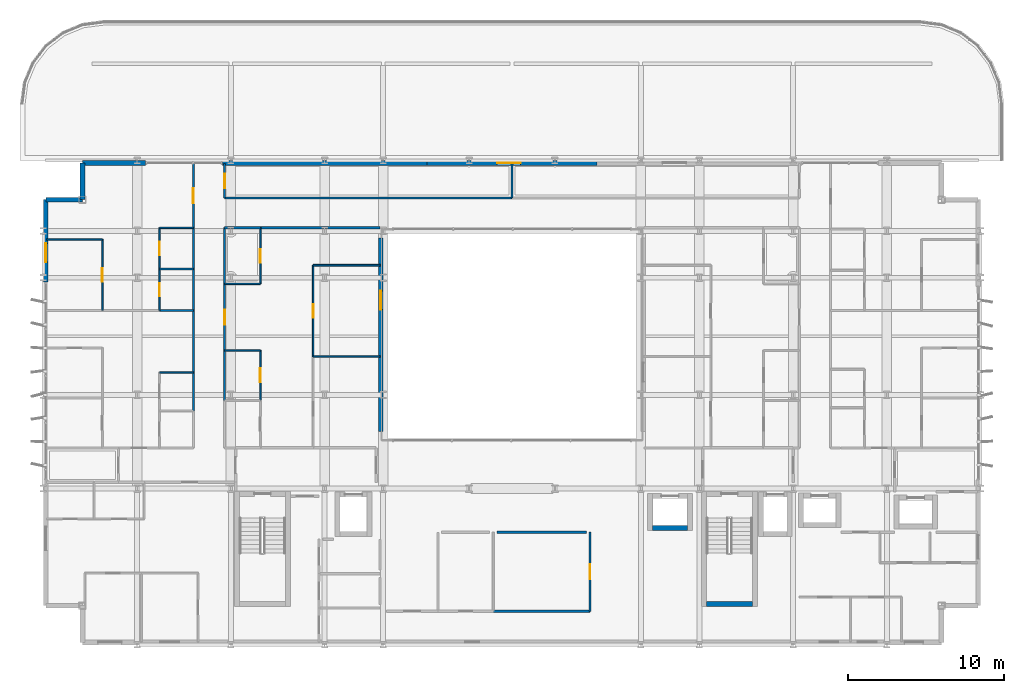
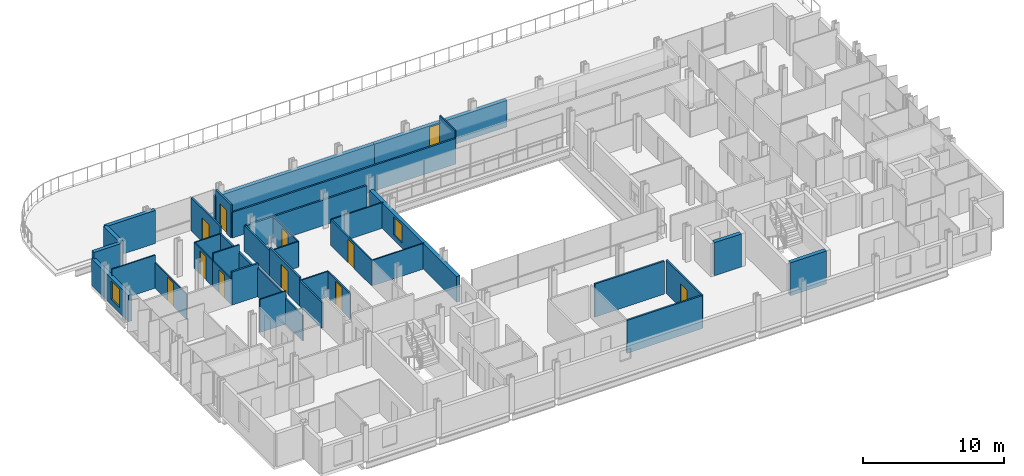
# One storey, part 29 of 38: 40 walls, 11 doors, 2 windows, 13 openings.
"""IFC4 building model written with IfcOpenShell, lengths in metres."""

from ifc_helpers import new_model, si_unit, direction, frame, frame_2d, origin, place, context, subcontext, project, spatial, rectangle, extrude, material, layer, layer_set, type_object, element, fill, save


model = new_model("IFC4")

# Units and contexts
model_context = context("Model", 3, precision=1e-05, world=origin(), true_north=direction((0.0, 1.0)))
body_context = subcontext(model_context, "Body", "Model", "MODEL_VIEW")
ifc_project = project(units=[si_unit("LENGTHUNIT", "METRE"), si_unit("AREAUNIT", "SQUARE_METRE"), si_unit("VOLUMEUNIT", "CUBIC_METRE"), si_unit("PLANEANGLEUNIT", "RADIAN"), si_unit("MASSUNIT", "GRAM", prefix="KILO")], contexts=[model_context])

# Site, building, storey
site_placement = place(None, origin())
site = spatial("IfcSite", under=ifc_project, at=site_placement, CompositionType="ELEMENT")
building_placement = place(site_placement, origin())
building = spatial("IfcBuilding", under=site, at=building_placement, Name="Brevholm Reach", CompositionType="ELEMENT")
storey_placement = place(building_placement, frame((0.0, 0.0, 28.0)))
storey = spatial("IfcBuildingStorey", under=building, at=storey_placement, Name="L06", CompositionType="ELEMENT", Elevation=28.0)

# Walls
ifc_material_1 = material(Name="Concrete C60/75", Category="concrete")
ifc_layer_1 = layer(ifc_material_1, 0.320068359375)
ifc_layer_set_1 = layer_set([ifc_layer_1], Name="Concrete C60/75")
wall_type_1 = type_object("IfcWallType", Name="WAL-COR-320", PredefinedType="SHEAR", material=ifc_layer_set_1)
wall_1_placement = place(storey_placement, frame((42.449951171875, 2.6201171875, 0.0), z_axis=(0.0, 0.0, 1.0), x_axis=(1.0, 0.0, 0.0)))
element("IfcWall", 1, at=wall_1_placement, inside=storey, type_object=wall_type_1, Name="L06 Escape Stair ST-2 Core Wall S", PredefinedType="SHEAR", context=body_context, shape_type="SweptSolid", body=[
    extrude(rectangle(XDim=2.949951171875, YDim=0.320068359375, at=frame_2d((1.47509765625, 0.0))), origin(), (0.0, 0.0, 1.0), 2.8701171875),
])
wall_2_placement = place(storey_placement, frame((39.010009765625, 7.47998046875, 0.0), z_axis=(0.0, 0.0, 1.0), x_axis=(1.0, 0.0, 0.0)))
element("IfcWall", 2, at=wall_2_placement, inside=storey, type_object=wall_type_1, Name="L06 Lift PL-S1 Shaft Wall S", PredefinedType="SHEAR", context=body_context, shape_type="SweptSolid", body=[
    extrude(rectangle(XDim=2.219970703125, YDim=0.320068359375, at=frame_2d((1.10986328125, 0.0))), origin(), (0.0, 0.0, 1.0), 2.8701171875),
])

# Wall, opening, door
ifc_material_2 = material(Name="Concrete C40/50", Category="concrete")
ifc_layer_2 = layer(ifc_material_2, 0.300048828125)
ifc_layer_set_2 = layer_set([ifc_layer_2], Name="Concrete C40/50")
wall_type_2 = type_object("IfcWallType", Name="WAL-EXT-300", PredefinedType="STANDARD", material=ifc_layer_set_2)
wall_3_placement = place(storey_placement, frame((24.550048828125, 30.85009765625, 0.0), z_axis=(0.0, 0.0, 1.0), x_axis=(1.0, 0.0, 0.0)))
wall_3 = element("IfcWall", 3, at=wall_3_placement, inside=storey, type_object=wall_type_2, Name="L06 Facade Wall WAL-L06-TERR-N", PredefinedType="STANDARD", context=body_context, shape_type="SweptSolid", body=[
    extrude(rectangle(XDim=10.89990234375, YDim=0.300048828125, at=frame_2d((5.449951171875, 0.0))), origin(), (0.0, 0.0, 1.0), 2.305419921875),
])
opening_1_placement = place(wall_3_placement, frame((4.5, 0.0, 0.0)))
opening_1 = element("IfcOpeningElement", 4, at=opening_1_placement, cuts=wall_3, Name="Opening ED-04", PredefinedType="OPENING", context=body_context, shape_type="SweptSolid", body=[
    extrude(rectangle(XDim=1.5, YDim=2.199951171875, at=frame_2d((0.75, 1.10009765625))), frame((0.0, 0.159912109375, 0.0), z_axis=(0.0, -1.0, 0.0), x_axis=(1.0, 0.0, 0.0)), (0.0, 0.0, 1.0), 0.320068359375),
])
ifc_material_3 = material(Name="Dark Anodised Aluminium and Laminated Glass", Category="aluminium")
door_type_1 = type_object("IfcDoorType", Name="DOR-EXT-TER", OperationType="NOTDEFINED", PredefinedType="DOOR", material=ifc_material_3)
door_1_placement = place(opening_1_placement, origin())
door_1 = element("IfcDoor", 5, at=door_1_placement, inside=storey, type_object=door_type_1, Name="L06 Exterior Door DOR-L06-TERR-N", OperationType="SINGLE_SWING_LEFT", OverallHeight=2.199951171875, OverallWidth=1.5, PredefinedType="DOOR", context=body_context, shape_type="SweptSolid", body=[
    extrude(rectangle(XDim=1.5, YDim=2.199951171875, at=frame_2d((0.75, 1.10009765625))), frame((0.0, 0.02490234375, 0.0), z_axis=(0.0, -1.0, 0.0), x_axis=(1.0, 0.0, 0.0)), (0.0, 0.0, 1.0), 0.050048828125),
])
fill(opening_1, door_1)

# Walls
for number, where, z_axis, x_axis, name in (
    (6, (2.5, 30.85009765625, 0.0), (0.0, 0.0, 1.0), (0.0, -1.0, 0.0), "L06 Facade Wall WAL-L06-CNW1"),
    (7, (2.5, 28.5, 0.0), (0.0, 0.0, 1.0), (-1.0, 0.0, 0.0), "L06 Facade Wall WAL-L06-CNW2"),
):
    element("IfcWall", number, at=place(storey_placement, frame(where, z_axis=z_axis, x_axis=x_axis)), inside=storey, type_object=wall_type_2, Name=name, PredefinedType="STANDARD", context=body_context, shape_type="SweptSolid", body=[
        extrude(rectangle(XDim=2.35009765625, YDim=0.300048828125, at=frame_2d((1.175048828125, 0.0))), origin(), (0.0, 0.0, 1.0), 2.8701171875),
    ])

# Wall, opening, window
wall_4_placement = place(storey_placement, frame((0.14990234375, 28.5, 0.0), z_axis=(0.0, 0.0, 1.0), x_axis=(0.0, -1.0, 0.0)))
wall_4 = element("IfcWall", 8, at=wall_4_placement, inside=storey, type_object=wall_type_2, Name="L06 Facade Wall WAL-L06-W-N", PredefinedType="STANDARD", context=body_context, shape_type="SweptSolid", body=[
    extrude(rectangle(XDim=5.280029296875, YDim=0.300048828125, at=frame_2d((2.64013671875, 0.0))), origin(), (0.0, 0.0, 1.0), 2.305419921875),
])
opening_2_placement = place(wall_4_placement, frame((2.800048828125, 0.0, 0.485107421875)))
opening_2 = element("IfcOpeningElement", 9, at=opening_2_placement, cuts=wall_4, Name="Opening WN-08", PredefinedType="OPENING", context=body_context, shape_type="SweptSolid", body=[
    extrude(rectangle(XDim=1.199951171875, YDim=1.60009765625, at=frame_2d((0.60009765625, 0.800048828125))), frame((0.0, 0.159912109375, 0.0), z_axis=(0.0, -1.0, 0.0), x_axis=(1.0, 0.0, 0.0)), (0.0, 0.0, 1.0), 0.320068359375),
])
ifc_material_4 = material(Name="Dark Anodised Aluminium and Solar-Control IGU Glass", Category="aluminium")
window_type = type_object("IfcWindowType", Name="WIN-RES-1200", PartitioningType="SINGLE_PANEL", PredefinedType="WINDOW", material=ifc_material_4)
window_1_placement = place(opening_2_placement, origin())
window_1 = element("IfcWindow", 10, at=window_1_placement, inside=storey, type_object=window_type, Name="L06 Window WIN-L06-WN-1", OverallHeight=1.60009765625, OverallWidth=1.199951171875, PartitioningType="SINGLE_PANEL", PredefinedType="WINDOW", context=body_context, shape_type="SweptSolid", body=[
    extrude(rectangle(XDim=1.199951171875, YDim=1.60009765625, at=frame_2d((0.60009765625, 0.800048828125))), frame((0.0, 0.030029296875, 0.0), z_axis=(0.0, -1.0, 0.0), x_axis=(1.0, 0.0, 0.0)), (0.0, 0.0, 1.0), 0.06005859375),
])
fill(opening_2, window_1)

# Walls
wall_5_placement = place(storey_placement, frame((2.5, 30.85009765625, 0.0), z_axis=(0.0, 0.0, 1.0), x_axis=(1.0, 0.0, 0.0)))
element("IfcWall", 11, at=wall_5_placement, inside=storey, type_object=wall_type_2, Name="L06 Facade Wall WAL-L06-NP-W0", PredefinedType="STANDARD", context=body_context, shape_type="SweptSolid", body=[
    extrude(rectangle(XDim=4.050048828125, YDim=0.300048828125, at=frame_2d((2.02490234375, 0.0))), origin(), (0.0, 0.0, 1.0), 2.8701171875),
])
wall_6_placement = place(storey_placement, frame((11.449951171875, 30.85009765625, 0.0), z_axis=(0.0, 0.0, 1.0), x_axis=(1.0, 0.0, 0.0)))
element("IfcWall", 12, at=wall_6_placement, inside=storey, type_object=wall_type_2, Name="L06 Facade Wall WAL-L06-NP-L", PredefinedType="STANDARD", context=body_context, shape_type="SweptSolid", body=[
    extrude(rectangle(XDim=13.10009765625, YDim=0.300048828125, at=frame_2d((6.550048828125, 0.0))), origin(), (0.0, 0.0, 1.0), 2.305419921875),
])

# Wall, opening, window
wall_7_placement = place(storey_placement, frame((21.60009765625, 26.050048828125, 0.0), z_axis=(0.0, 0.0, 1.0), x_axis=(0.0, -1.0, 0.0)))
wall_7 = element("IfcWall", 13, at=wall_7_placement, inside=storey, type_object=wall_type_2, Name="L06 Facade Wall WAL-L06-AT-W", PredefinedType="STANDARD", context=body_context, shape_type="SweptSolid", body=[
    extrude(rectangle(XDim=12.400146484375, YDim=0.300048828125, at=frame_2d((6.2001953125, 0.0))), origin(), (0.0, 0.0, 1.0), 2.224853515625),
])
opening_3_placement = place(wall_7_placement, frame((3.39990234375, 0.0, 0.405029296875)))
opening_3 = element("IfcOpeningElement", 14, at=opening_3_placement, cuts=wall_7, Name="Opening WN-08", PredefinedType="OPENING", context=body_context, shape_type="SweptSolid", body=[
    extrude(rectangle(XDim=1.199951171875, YDim=1.60009765625, at=frame_2d((0.60009765625, 0.800048828125))), frame((0.0, 0.159912109375, 0.0), z_axis=(0.0, -1.0, 0.0), x_axis=(1.0, 0.0, 0.0)), (0.0, 0.0, 1.0), 0.320068359375),
])
window_2_placement = place(opening_3_placement, origin())
window_2 = element("IfcWindow", 15, at=window_2_placement, inside=storey, type_object=window_type, Name="L06 Window WIN-L06-AT-W1", OverallHeight=1.60009765625, OverallWidth=1.199951171875, PartitioningType="SINGLE_PANEL", PredefinedType="WINDOW", context=body_context, shape_type="SweptSolid", body=[
    extrude(rectangle(XDim=1.199951171875, YDim=1.60009765625, at=frame_2d((0.60009765625, 0.800048828125))), frame((0.0, 0.030029296875, 0.0), z_axis=(0.0, -1.0, 0.0), x_axis=(1.0, 0.0, 0.0)), (0.0, 0.0, 1.0), 0.06005859375),
])
fill(opening_3, window_2)

# Walls
ifc_material_5 = material(Name="Moisture-Resistant Acoustic Gypsum Stud Partition 100 mm", Category="gypsum")
ifc_layer_3 = layer(ifc_material_5, 0.10009765625)
ifc_layer_set_3 = layer_set([ifc_layer_3], Name="Moisture-Resistant Acoustic Gypsum Stud Partition 100 mm")
wall_type_3 = type_object("IfcWallType", Name="WAL-PRT-100", PredefinedType="PARTITIONING", material=ifc_layer_set_3)
for number, where, z_axis, x_axis, name in (
    (16, (7.43798828125, 17.43994140625, 0.0), (0.0, 0.0, 1.0), (1.0, 0.0, 0.0), "L06 Internal Partition 093"),
    (17, (7.43798828125, 24.05810546875, 0.0), (0.0, 0.0, 1.0), (1.0, 0.0, 0.0), "L06 Internal Partition 102"),
):
    element("IfcWall", number, at=place(storey_placement, frame(where, z_axis=z_axis, x_axis=x_axis)), inside=storey, type_object=wall_type_3, Name=name, PredefinedType="PARTITIONING", context=body_context, shape_type="SweptSolid", body=[
        extrude(rectangle(XDim=2.157958984375, YDim=0.10009765625, at=frame_2d((1.0791015625, 0.0))), origin(), (0.0, 0.0, 1.0), 2.8701171875),
    ])

# Wall, opening, door
wall_8_placement = place(storey_placement, frame((7.43798828125, 21.404052734375, 0.0), z_axis=(0.0, 0.0, 1.0), x_axis=(0.0, 1.0, 0.0)))
wall_8 = element("IfcWall", 18, at=wall_8_placement, inside=storey, type_object=wall_type_3, Name="L06 Internal Partition 103", PredefinedType="PARTITIONING", context=body_context, shape_type="SweptSolid", body=[
    extrude(rectangle(XDim=2.654052734375, YDim=0.10009765625, at=frame_2d((1.3271484375, 0.0))), origin(), (0.0, 0.0, 1.0), 2.224853515625),
])
opening_4_placement = place(wall_8_placement, frame((0.9169921875, 0.0, 0.0)))
opening_4 = element("IfcOpeningElement", 19, at=opening_4_placement, cuts=wall_8, Name="Opening ID-03", PredefinedType="OPENING", context=body_context, shape_type="SweptSolid", body=[
    extrude(rectangle(XDim=0.820068359375, YDim=2.02001953125, at=frame_2d((0.41015625, 1.010009765625))), frame((0.0, 0.06005859375, 0.0), z_axis=(0.0, -1.0, 0.0), x_axis=(1.0, 0.0, 0.0)), (0.0, 0.0, 1.0), 0.1201171875),
])
ifc_material_6 = material(Name="Moisture-Resistant Painted Timber Internal Bathroom Door", Category="wood")
door_type_2 = type_object("IfcDoorType", Name="DOR-BATH-820", OperationType="NOTDEFINED", PredefinedType="DOOR", material=ifc_material_6)
door_2_placement = place(opening_4_placement, origin())
door_2 = element("IfcDoor", 20, at=door_2_placement, inside=storey, type_object=door_type_2, Name="L06 Internal Door 036", OperationType="SINGLE_SWING_LEFT", OverallHeight=2.02001953125, OverallWidth=0.820068359375, PredefinedType="DOOR", context=body_context, shape_type="SweptSolid", body=[
    extrude(rectangle(XDim=0.820068359375, YDim=2.02001953125, at=frame_2d((0.41015625, 1.010009765625))), frame((0.0, 0.02490234375, 0.0), z_axis=(0.0, -1.0, 0.0), x_axis=(1.0, 0.0, 0.0)), (0.0, 0.0, 1.0), 0.050048828125),
])
fill(opening_4, door_2)

# Wall
wall_9_placement = place(storey_placement, frame((7.43798828125, 26.68994140625, 0.0), z_axis=(0.0, 0.0, 1.0), x_axis=(1.0, 0.0, 0.0)))
element("IfcWall", 21, at=wall_9_placement, inside=storey, type_object=wall_type_3, Name="L06 Internal Partition 104", PredefinedType="PARTITIONING", context=body_context, shape_type="SweptSolid", body=[
    extrude(rectangle(XDim=2.157958984375, YDim=0.10009765625, at=frame_2d((1.0791015625, 0.0))), origin(), (0.0, 0.0, 1.0), 2.224853515625),
])

# Wall, opening, door
wall_10_placement = place(storey_placement, frame((7.43798828125, 24.06201171875, 0.0), z_axis=(0.0, 0.0, 1.0), x_axis=(0.0, 1.0, 0.0)))
wall_10 = element("IfcWall", 22, at=wall_10_placement, inside=storey, type_object=wall_type_3, Name="L06 Internal Partition 105", PredefinedType="PARTITIONING", context=body_context, shape_type="SweptSolid", body=[
    extrude(rectangle(XDim=2.6279296875, YDim=0.10009765625, at=frame_2d((1.31396484375, 0.0))), origin(), (0.0, 0.0, 1.0), 2.224853515625),
])
opening_5_placement = place(wall_10_placement, frame((0.8740234375, 0.0, 0.0)))
opening_5 = element("IfcOpeningElement", 23, at=opening_5_placement, cuts=wall_10, Name="Opening ID-01", PredefinedType="OPENING", context=body_context, shape_type="SweptSolid", body=[
    extrude(rectangle(XDim=0.8798828125, YDim=2.0400390625, at=frame_2d((0.43994140625, 1.02001953125))), frame((0.0, 0.06005859375, 0.0), z_axis=(0.0, -1.0, 0.0), x_axis=(1.0, 0.0, 0.0)), (0.0, 0.0, 1.0), 0.1201171875),
])
ifc_material_7 = material(Name="Lacquered Ash Solid-Core Acoustic Internal Door", Category="timber")
door_type_3 = type_object("IfcDoorType", Name="DOR-INT-880", OperationType="NOTDEFINED", PredefinedType="DOOR", material=ifc_material_7)
door_3_placement = place(opening_5_placement, origin())
door_3 = element("IfcDoor", 24, at=door_3_placement, inside=storey, type_object=door_type_3, Name="L06 Internal Door 037", OperationType="SINGLE_SWING_RIGHT", OverallHeight=2.0400390625, OverallWidth=0.8798828125, PredefinedType="DOOR", context=body_context, shape_type="SweptSolid", body=[
    extrude(rectangle(XDim=0.8798828125, YDim=2.0400390625, at=frame_2d((0.43994140625, 1.02001953125))), frame((0.0, 0.02490234375, 0.0), z_axis=(0.0, -1.0, 0.0), x_axis=(1.0, 0.0, 0.0)), (0.0, 0.0, 1.0), 0.050048828125),
])
fill(opening_5, door_3)

wall_11_placement = place(storey_placement, frame((3.77197265625, 21.404052734375, 0.0), z_axis=(0.0, 0.0, 1.0), x_axis=(0.0, 1.0, 0.0)))
wall_11 = element("IfcWall", 25, at=wall_11_placement, inside=storey, type_object=wall_type_3, Name="L06 Internal Partition 106", PredefinedType="PARTITIONING", context=body_context, shape_type="SweptSolid", body=[
    extrude(rectangle(XDim=4.5458984375, YDim=0.10009765625, at=frame_2d((2.27294921875, 0.0))), origin(), (0.0, 0.0, 1.0), 2.224853515625),
])
opening_6_placement = place(wall_11_placement, frame((1.8330078125, 0.0, 0.0)))
opening_6 = element("IfcOpeningElement", 26, at=opening_6_placement, cuts=wall_11, Name="Opening ID-01", PredefinedType="OPENING", context=body_context, shape_type="SweptSolid", body=[
    extrude(rectangle(XDim=0.8798828125, YDim=2.0400390625, at=frame_2d((0.43994140625, 1.02001953125))), frame((0.0, 0.06005859375, 0.0), z_axis=(0.0, -1.0, 0.0), x_axis=(1.0, 0.0, 0.0)), (0.0, 0.0, 1.0), 0.1201171875),
])
door_4_placement = place(opening_6_placement, origin())
door_4 = element("IfcDoor", 27, at=door_4_placement, inside=storey, type_object=door_type_3, Name="L06 Internal Door 038", OperationType="SINGLE_SWING_LEFT", OverallHeight=2.0400390625, OverallWidth=0.8798828125, PredefinedType="DOOR", context=body_context, shape_type="SweptSolid", body=[
    extrude(rectangle(XDim=0.8798828125, YDim=2.0400390625, at=frame_2d((0.43994140625, 1.02001953125))), frame((0.0, 0.02490234375, 0.0), z_axis=(0.0, -1.0, 0.0), x_axis=(1.0, 0.0, 0.0)), (0.0, 0.0, 1.0), 0.050048828125),
])
fill(opening_6, door_4)

# Wall
wall_12_placement = place(storey_placement, frame((0.199951171875, 25.949951171875, 0.0), z_axis=(0.0, 0.0, 1.0), x_axis=(1.0, 0.0, 0.0)))
element("IfcWall", 28, at=wall_12_placement, inside=storey, type_object=wall_type_3, Name="L06 Internal Partition 107", PredefinedType="PARTITIONING", context=body_context, shape_type="SweptSolid", body=[
    extrude(rectangle(XDim=3.572021484375, YDim=0.10009765625, at=frame_2d((1.7861328125, 0.0))), origin(), (0.0, 0.0, 1.0), 2.8701171875),
])

# Wall, opening, door
wall_13_placement = place(storey_placement, frame((13.888916015625, 15.654052734375, 0.0), z_axis=(0.0, 0.0, 1.0), x_axis=(0.0, 1.0, 0.0)))
wall_13 = element("IfcWall", 29, at=wall_13_placement, inside=storey, type_object=wall_type_3, Name="L06 Internal Partition 110", PredefinedType="PARTITIONING", context=body_context, shape_type="SweptSolid", body=[
    extrude(rectangle(XDim=3.196044921875, YDim=0.10009765625, at=frame_2d((1.59814453125, 0.0))), origin(), (0.0, 0.0, 1.0), 2.224853515625),
])
opening_7_placement = place(wall_13_placement, frame((1.157958984375, 0.0, 0.0)))
opening_7 = element("IfcOpeningElement", 30, at=opening_7_placement, cuts=wall_13, Name="Opening ID-01", PredefinedType="OPENING", context=body_context, shape_type="SweptSolid", body=[
    extrude(rectangle(XDim=0.8798828125, YDim=2.0400390625, at=frame_2d((0.43994140625, 1.02001953125))), frame((0.0, 0.06005859375, 0.0), z_axis=(0.0, -1.0, 0.0), x_axis=(1.0, 0.0, 0.0)), (0.0, 0.0, 1.0), 0.1201171875),
])
door_5_placement = place(opening_7_placement, origin())
door_5 = element("IfcDoor", 31, at=door_5_placement, inside=storey, type_object=door_type_3, Name="L06 Internal Door 040", OperationType="SINGLE_SWING_LEFT", OverallHeight=2.0400390625, OverallWidth=0.8798828125, PredefinedType="DOOR", context=body_context, shape_type="SweptSolid", body=[
    extrude(rectangle(XDim=0.8798828125, YDim=2.0400390625, at=frame_2d((0.43994140625, 1.02001953125))), frame((0.0, 0.02490234375, 0.0), z_axis=(0.0, -1.0, 0.0), x_axis=(1.0, 0.0, 0.0)), (0.0, 0.0, 1.0), 0.050048828125),
])
fill(opening_7, door_5)

# Walls
for number, where, z_axis, x_axis, name in (
    (32, (11.60400390625, 18.85009765625, 0.0), (0.0, 0.0, 1.0), (1.0, 0.0, 0.0), "L06 Internal Partition 111"),
    (33, (11.60400390625, 23.10009765625, 0.0), (0.0, 0.0, 1.0), (1.0, 0.0, 0.0), "L06 Internal Partition 112"),
):
    element("IfcWall", number, at=place(storey_placement, frame(where, z_axis=z_axis, x_axis=x_axis)), inside=storey, type_object=wall_type_3, Name=name, PredefinedType="PARTITIONING", context=body_context, shape_type="SweptSolid", body=[
        extrude(rectangle(XDim=2.284912109375, YDim=0.10009765625, at=frame_2d((1.142578125, 0.0))), origin(), (0.0, 0.0, 1.0), 2.224853515625),
    ])

# Wall, opening, door
wall_14_placement = place(storey_placement, frame((13.888916015625, 23.10009765625, 0.0), z_axis=(0.0, 0.0, 1.0), x_axis=(0.0, 1.0, 0.0)))
wall_14 = element("IfcWall", 34, at=wall_14_placement, inside=storey, type_object=wall_type_3, Name="L06 Internal Partition 113", PredefinedType="PARTITIONING", context=body_context, shape_type="SweptSolid", body=[
    extrude(rectangle(XDim=3.595947265625, YDim=0.10009765625, at=frame_2d((1.7978515625, 0.0))), origin(), (0.0, 0.0, 1.0), 2.224853515625),
])
opening_8_placement = place(wall_14_placement, frame((1.35791015625, 0.0, 0.0)))
opening_8 = element("IfcOpeningElement", 35, at=opening_8_placement, cuts=wall_14, Name="Opening ID-01", PredefinedType="OPENING", context=body_context, shape_type="SweptSolid", body=[
    extrude(rectangle(XDim=0.8798828125, YDim=2.0400390625, at=frame_2d((0.43994140625, 1.02001953125))), frame((0.0, 0.06005859375, 0.0), z_axis=(0.0, -1.0, 0.0), x_axis=(1.0, 0.0, 0.0)), (0.0, 0.0, 1.0), 0.1201171875),
])
door_6_placement = place(opening_8_placement, origin())
door_6 = element("IfcDoor", 36, at=door_6_placement, inside=storey, type_object=door_type_3, Name="L06 Internal Door 041", OperationType="SINGLE_SWING_RIGHT", OverallHeight=2.0400390625, OverallWidth=0.8798828125, PredefinedType="DOOR", context=body_context, shape_type="SweptSolid", body=[
    extrude(rectangle(XDim=0.8798828125, YDim=2.0400390625, at=frame_2d((0.43994140625, 1.02001953125))), frame((0.0, 0.02490234375, 0.0), z_axis=(0.0, -1.0, 0.0), x_axis=(1.0, 0.0, 0.0)), (0.0, 0.0, 1.0), 0.050048828125),
])
fill(opening_8, door_6)

# Walls
for number, where, z_axis, x_axis, name in (
    (37, (17.27099609375, 18.449951171875, 0.0), (0.0, 0.0, 1.0), (1.0, 0.0, 0.0), "L06 Internal Partition 114"),
    (38, (17.27099609375, 24.300048828125, 0.0), (0.0, 0.0, 1.0), (1.0, 0.0, 0.0), "L06 Internal Partition 116"),
):
    element("IfcWall", number, at=place(storey_placement, frame(where, z_axis=z_axis, x_axis=x_axis)), inside=storey, type_object=wall_type_3, Name=name, PredefinedType="PARTITIONING", context=body_context, shape_type="SweptSolid", body=[
        extrude(rectangle(XDim=4.279052734375, YDim=0.10009765625, at=frame_2d((2.1396484375, 0.0))), origin(), (0.0, 0.0, 1.0), 2.224853515625),
    ])

# Wall, opening, door
wall_15_placement = place(storey_placement, frame((17.27099609375, 18.4541015625, 0.0), z_axis=(0.0, 0.0, 1.0), x_axis=(0.0, 1.0, 0.0)))
wall_15 = element("IfcWall", 39, at=wall_15_placement, inside=storey, type_object=wall_type_3, Name="L06 Internal Partition 117", PredefinedType="PARTITIONING", context=body_context, shape_type="SweptSolid", body=[
    extrude(rectangle(XDim=5.845947265625, YDim=0.10009765625, at=frame_2d((2.9228515625, 0.0))), origin(), (0.0, 0.0, 1.0), 2.224853515625),
])
opening_9_placement = place(wall_15_placement, frame((2.48291015625, 0.0, 0.0)))
opening_9 = element("IfcOpeningElement", 40, at=opening_9_placement, cuts=wall_15, Name="Opening ID-01", PredefinedType="OPENING", context=body_context, shape_type="SweptSolid", body=[
    extrude(rectangle(XDim=0.8798828125, YDim=2.0400390625, at=frame_2d((0.43994140625, 1.02001953125))), frame((0.0, 0.06005859375, 0.0), z_axis=(0.0, -1.0, 0.0), x_axis=(1.0, 0.0, 0.0)), (0.0, 0.0, 1.0), 0.1201171875),
])
door_7_placement = place(opening_9_placement, origin())
door_7 = element("IfcDoor", 41, at=door_7_placement, inside=storey, type_object=door_type_3, Name="L06 Internal Door 043", OperationType="SINGLE_SWING_RIGHT", OverallHeight=2.0400390625, OverallWidth=0.8798828125, PredefinedType="DOOR", context=body_context, shape_type="SweptSolid", body=[
    extrude(rectangle(XDim=0.8798828125, YDim=2.0400390625, at=frame_2d((0.43994140625, 1.02001953125))), frame((0.0, 0.02490234375, 0.0), z_axis=(0.0, -1.0, 0.0), x_axis=(1.0, 0.0, 0.0)), (0.0, 0.0, 1.0), 0.050048828125),
])
fill(opening_9, door_7)

# Wall
wall_16_placement = place(storey_placement, frame((30.0, 28.60400390625, 0.0), z_axis=(0.0, 0.0, 1.0), x_axis=(0.0, 1.0, 0.0)))
element("IfcWall", 42, at=wall_16_placement, inside=storey, type_object=wall_type_3, Name="L06 Internal Partition 145", PredefinedType="PARTITIONING", context=body_context, shape_type="SweptSolid", body=[
    extrude(rectangle(XDim=2.196044921875, YDim=0.10009765625, at=frame_2d((1.09814453125, 0.0))), origin(), (0.0, 0.0, 1.0), 2.8701171875),
])

# Wall, opening, door
ifc_material_8 = material(Name="Twin-Stud Acoustic Fire-Rated Gypsum Partition 140 mm", Category="gypsum")
ifc_layer_4 = layer(ifc_material_8, 0.139892578125)
ifc_layer_set_4 = layer_set([ifc_layer_4], Name="Twin-Stud Acoustic Fire-Rated Gypsum Partition 140 mm")
wall_type_4 = type_object("IfcWallType", Name="WAL-PRT-140", PredefinedType="PARTITIONING", material=ifc_layer_set_4)
wall_17_placement = place(storey_placement, frame((35.0, 2.142578125, 0.0), z_axis=(0.0, 0.0, 1.0), x_axis=(0.0, 1.0, 0.0)))
wall_17 = element("IfcWall", 43, at=wall_17_placement, inside=storey, type_object=wall_type_4, Name="L06 Internal Partition 001", PredefinedType="PARTITIONING", context=body_context, shape_type="SweptSolid", body=[
    extrude(rectangle(XDim=5.068603515625, YDim=0.139892578125, at=frame_2d((2.5341796875, 0.0))), origin(), (0.0, 0.0, 1.0), 2.8701171875),
])
opening_10_placement = place(wall_17_placement, frame((2.059326171875, 0.0, 0.0)))
opening_10 = element("IfcOpeningElement", 44, at=opening_10_placement, cuts=wall_17, Name="Opening ID-30", PredefinedType="OPENING", context=body_context, shape_type="SweptSolid", body=[
    extrude(rectangle(XDim=0.949951171875, YDim=2.050048828125, at=frame_2d((0.47509765625, 1.02490234375))), frame((0.0, 0.079833984375, 0.0), z_axis=(0.0, -1.0, 0.0), x_axis=(1.0, 0.0, 0.0)), (0.0, 0.0, 1.0), 0.159912109375),
])
ifc_material_9 = material(Name="European Oak Veneered Solid-Core Fire Entrance Door", Category="timber")
door_type_4 = type_object("IfcDoorType", Name="DOR-FLT-FD30S", OperationType="NOTDEFINED", PredefinedType="DOOR", material=ifc_material_9)
door_8_placement = place(opening_10_placement, origin())
door_8 = element("IfcDoor", 45, at=door_8_placement, inside=storey, type_object=door_type_4, Name="L06 Internal Door 001", OperationType="SINGLE_SWING_RIGHT", OverallHeight=2.050048828125, OverallWidth=0.949951171875, PredefinedType="DOOR", context=body_context, shape_type="SweptSolid", body=[
    extrude(rectangle(XDim=0.949951171875, YDim=2.050048828125, at=frame_2d((0.47509765625, 1.02490234375))), frame((0.0, 0.02490234375, 0.0), z_axis=(0.0, -1.0, 0.0), x_axis=(1.0, 0.0, 0.0)), (0.0, 0.0, 1.0), 0.050048828125),
])
fill(opening_10, door_8)

# Walls
wall_18_placement = place(storey_placement, frame((28.792724609375, 2.14990234375, 0.0), z_axis=(0.0, 0.0, 1.0), x_axis=(1.0, 0.0, 0.0)))
element("IfcWall", 46, at=wall_18_placement, inside=storey, type_object=wall_type_4, Name="L06 Internal Partition 004", PredefinedType="PARTITIONING", context=body_context, shape_type="SweptSolid", body=[
    extrude(rectangle(XDim=6.203369140625, YDim=0.139892578125, at=frame_2d((3.1015625, 0.0))), origin(), (0.0, 0.0, 1.0), 2.8701171875),
])
wall_19_placement = place(storey_placement, frame((9.60009765625, 14.96875, 0.0), z_axis=(0.0, 0.0, 1.0), x_axis=(0.0, 1.0, 0.0)))
element("IfcWall", 47, at=wall_19_placement, inside=storey, type_object=wall_type_4, Name="L06 Internal Partition 039", PredefinedType="PARTITIONING", context=body_context, shape_type="SweptSolid", body=[
    extrude(rectangle(XDim=2.482666015625, YDim=0.139892578125, at=frame_2d((1.2412109375, 0.0))), origin(), (0.0, 0.0, 1.0), 2.224853515625),
])
wall_20_placement = place(storey_placement, frame((9.60009765625, 17.4326171875, 0.0), z_axis=(0.0, 0.0, 1.0), x_axis=(0.0, 1.0, 0.0)))
element("IfcWall", 48, at=wall_20_placement, inside=storey, type_object=wall_type_4, Name="L06 Internal Partition 040", PredefinedType="PARTITIONING", context=body_context, shape_type="SweptSolid", body=[
    extrude(rectangle(XDim=3.978759765625, YDim=0.139892578125, at=frame_2d((1.9892578125, 0.0))), origin(), (0.0, 0.0, 1.0), 2.489990234375),
])
wall_21_placement = place(storey_placement, frame((9.60009765625, 21.392578125, 0.0), z_axis=(0.0, 0.0, 1.0), x_axis=(0.0, 1.0, 0.0)))
element("IfcWall", 49, at=wall_21_placement, inside=storey, type_object=wall_type_4, Name="L06 Internal Partition 041", PredefinedType="PARTITIONING", context=body_context, shape_type="SweptSolid", body=[
    extrude(rectangle(XDim=2.6767578125, YDim=0.139892578125, at=frame_2d((1.33837890625, 0.0))), origin(), (0.0, 0.0, 1.0), 2.224853515625),
])
wall_22_placement = place(storey_placement, frame((9.60009765625, 24.05078125, 0.0), z_axis=(0.0, 0.0, 1.0), x_axis=(0.0, 1.0, 0.0)))
element("IfcWall", 50, at=wall_22_placement, inside=storey, type_object=wall_type_4, Name="L06 Internal Partition 042", PredefinedType="PARTITIONING", context=body_context, shape_type="SweptSolid", body=[
    extrude(rectangle(XDim=2.650634765625, YDim=0.139892578125, at=frame_2d((1.3251953125, 0.0))), origin(), (0.0, 0.0, 1.0), 2.224853515625),
])

# Wall, opening, door
wall_23_placement = place(storey_placement, frame((9.60009765625, 26.6826171875, 0.0), z_axis=(0.0, 0.0, 1.0), x_axis=(0.0, 1.0, 0.0)))
wall_23 = element("IfcWall", 51, at=wall_23_placement, inside=storey, type_object=wall_type_4, Name="L06 Internal Partition 043", PredefinedType="PARTITIONING", context=body_context, shape_type="SweptSolid", body=[
    extrude(rectangle(XDim=4.117431640625, YDim=0.139892578125, at=frame_2d((2.05859375, 0.0))), origin(), (0.0, 0.0, 1.0), 2.8701171875),
])
opening_11_placement = place(wall_23_placement, frame((1.583740234375, 0.0, 0.0)))
opening_11 = element("IfcOpeningElement", 52, at=opening_11_placement, cuts=wall_23, Name="Opening ID-30", PredefinedType="OPENING", context=body_context, shape_type="SweptSolid", body=[
    extrude(rectangle(XDim=0.949951171875, YDim=2.050048828125, at=frame_2d((0.47509765625, 1.02490234375))), frame((0.0, 0.079833984375, 0.0), z_axis=(0.0, -1.0, 0.0), x_axis=(1.0, 0.0, 0.0)), (0.0, 0.0, 1.0), 0.159912109375),
])
door_9_placement = place(opening_11_placement, origin())
door_9 = element("IfcDoor", 53, at=door_9_placement, inside=storey, type_object=door_type_4, Name="L06 Internal Door 018", OperationType="SINGLE_SWING_LEFT", OverallHeight=2.050048828125, OverallWidth=0.949951171875, PredefinedType="DOOR", context=body_context, shape_type="SweptSolid", body=[
    extrude(rectangle(XDim=0.949951171875, YDim=2.050048828125, at=frame_2d((0.47509765625, 1.02490234375))), frame((0.0, 0.02490234375, 0.0), z_axis=(0.0, -1.0, 0.0), x_axis=(1.0, 0.0, 0.0)), (0.0, 0.0, 1.0), 0.050048828125),
])
fill(opening_11, door_9)

# Walls
wall_24_placement = place(storey_placement, frame((11.60009765625, 15.642578125, 0.0), z_axis=(0.0, 0.0, 1.0), x_axis=(0.0, 1.0, 0.0)))
element("IfcWall", 54, at=wall_24_placement, inside=storey, type_object=wall_type_4, Name="L06 Internal Partition 045", PredefinedType="PARTITIONING", context=body_context, shape_type="SweptSolid", body=[
    extrude(rectangle(XDim=3.21875, YDim=0.139892578125, at=frame_2d((1.609375, 0.0))), origin(), (0.0, 0.0, 1.0), 2.224853515625),
])
wall_25_placement = place(storey_placement, frame((11.60009765625, 23.088623046875, 0.0), z_axis=(0.0, 0.0, 1.0), x_axis=(0.0, 1.0, 0.0)))
element("IfcWall", 55, at=wall_25_placement, inside=storey, type_object=wall_type_4, Name="L06 Internal Partition 046", PredefinedType="PARTITIONING", context=body_context, shape_type="SweptSolid", body=[
    extrude(rectangle(XDim=3.61865234375, YDim=0.139892578125, at=frame_2d((1.809326171875, 0.0))), origin(), (0.0, 0.0, 1.0), 2.224853515625),
])

# Wall, opening, door
wall_26_placement = place(storey_placement, frame((11.60009765625, 18.8427734375, 0.0), z_axis=(0.0, 0.0, 1.0), x_axis=(0.0, 1.0, 0.0)))
wall_26 = element("IfcWall", 56, at=wall_26_placement, inside=storey, type_object=wall_type_4, Name="L06 Internal Partition 047", PredefinedType="PARTITIONING", context=body_context, shape_type="SweptSolid", body=[
    extrude(rectangle(XDim=4.2646484375, YDim=0.139892578125, at=frame_2d((2.13232421875, 0.0))), origin(), (0.0, 0.0, 1.0), 2.489990234375),
])
opening_12_placement = place(wall_26_placement, frame((1.6572265625, 0.0, 0.0)))
opening_12 = element("IfcOpeningElement", 57, at=opening_12_placement, cuts=wall_26, Name="Opening ID-30", PredefinedType="OPENING", context=body_context, shape_type="SweptSolid", body=[
    extrude(rectangle(XDim=0.949951171875, YDim=2.050048828125, at=frame_2d((0.47509765625, 1.02490234375))), frame((0.0, 0.079833984375, 0.0), z_axis=(0.0, -1.0, 0.0), x_axis=(1.0, 0.0, 0.0)), (0.0, 0.0, 1.0), 0.159912109375),
])
door_10_placement = place(opening_12_placement, origin())
door_10 = element("IfcDoor", 58, at=door_10_placement, inside=storey, type_object=door_type_4, Name="L06 Internal Door 019", OperationType="SINGLE_SWING_RIGHT", OverallHeight=2.050048828125, OverallWidth=0.949951171875, PredefinedType="DOOR", context=body_context, shape_type="SweptSolid", body=[
    extrude(rectangle(XDim=0.949951171875, YDim=2.050048828125, at=frame_2d((0.47509765625, 1.02490234375))), frame((0.0, 0.02490234375, 0.0), z_axis=(0.0, -1.0, 0.0), x_axis=(1.0, 0.0, 0.0)), (0.0, 0.0, 1.0), 0.050048828125),
])
fill(opening_12, door_10)

wall_27_placement = place(storey_placement, frame((11.60009765625, 28.5927734375, 0.0), z_axis=(0.0, 0.0, 1.0), x_axis=(0.0, 1.0, 0.0)))
wall_27 = element("IfcWall", 59, at=wall_27_placement, inside=storey, type_object=wall_type_4, Name="L06 Internal Partition 048", PredefinedType="PARTITIONING", context=body_context, shape_type="SweptSolid", body=[
    extrude(rectangle(XDim=2.207275390625, YDim=0.139892578125, at=frame_2d((1.103515625, 0.0))), origin(), (0.0, 0.0, 1.0), 2.8701171875),
])
opening_13_placement = place(wall_27_placement, frame((0.628662109375, 0.0, 0.0)))
opening_13 = element("IfcOpeningElement", 60, at=opening_13_placement, cuts=wall_27, Name="Opening ID-30", PredefinedType="OPENING", context=body_context, shape_type="SweptSolid", body=[
    extrude(rectangle(XDim=0.949951171875, YDim=2.050048828125, at=frame_2d((0.47509765625, 1.02490234375))), frame((0.0, 0.079833984375, 0.0), z_axis=(0.0, -1.0, 0.0), x_axis=(1.0, 0.0, 0.0)), (0.0, 0.0, 1.0), 0.159912109375),
])
door_11_placement = place(opening_13_placement, origin())
door_11 = element("IfcDoor", 61, at=door_11_placement, inside=storey, type_object=door_type_4, Name="L06 Internal Door 020", OperationType="SINGLE_SWING_LEFT", OverallHeight=2.050048828125, OverallWidth=0.949951171875, PredefinedType="DOOR", context=body_context, shape_type="SweptSolid", body=[
    extrude(rectangle(XDim=0.949951171875, YDim=2.050048828125, at=frame_2d((0.47509765625, 1.02490234375))), frame((0.0, 0.02490234375, 0.0), z_axis=(0.0, -1.0, 0.0), x_axis=(1.0, 0.0, 0.0)), (0.0, 0.0, 1.0), 0.050048828125),
])
fill(opening_13, door_11)

# Walls
wall_28_placement = place(storey_placement, frame((11.60400390625, 26.699951171875, 0.0), z_axis=(0.0, 0.0, 1.0), x_axis=(1.0, 0.0, 0.0)))
element("IfcWall", 62, at=wall_28_placement, inside=storey, type_object=wall_type_4, Name="L06 Internal Partition 060", PredefinedType="PARTITIONING", context=body_context, shape_type="SweptSolid", body=[
    extrude(rectangle(XDim=2.29638671875, YDim=0.139892578125, at=frame_2d((1.148193359375, 0.0))), origin(), (0.0, 0.0, 1.0), 2.224853515625),
])
wall_29_placement = place(storey_placement, frame((13.881591796875, 26.699951171875, 0.0), z_axis=(0.0, 0.0, 1.0), x_axis=(1.0, 0.0, 0.0)))
element("IfcWall", 63, at=wall_29_placement, inside=storey, type_object=wall_type_4, Name="L06 Internal Partition 061", PredefinedType="PARTITIONING", context=body_context, shape_type="SweptSolid", body=[
    extrude(rectangle(XDim=7.6796875, YDim=0.139892578125, at=frame_2d((3.83984375, 0.0))), origin(), (0.0, 0.0, 1.0), 2.224853515625),
])
wall_30_placement = place(storey_placement, frame((11.60400390625, 28.60009765625, 0.0), z_axis=(0.0, 0.0, 1.0), x_axis=(1.0, 0.0, 0.0)))
element("IfcWall", 64, at=wall_30_placement, inside=storey, type_object=wall_type_4, Name="L06 Internal Partition 064", PredefinedType="PARTITIONING", context=body_context, shape_type="SweptSolid", body=[
    extrude(rectangle(XDim=18.4072265625, YDim=0.139892578125, at=frame_2d((9.20361328125, 0.0))), origin(), (0.0, 0.0, 1.0), 2.224853515625),
])
wall_31_placement = place(storey_placement, frame((7.4267578125, 21.39990234375, 0.0), z_axis=(0.0, 0.0, 1.0), x_axis=(1.0, 0.0, 0.0)))
element("IfcWall", 65, at=wall_31_placement, inside=storey, type_object=wall_type_4, Name="L06 Internal Partition 099", PredefinedType="PARTITIONING", context=body_context, shape_type="SweptSolid", body=[
    extrude(rectangle(XDim=2.169189453125, YDim=0.139892578125, at=frame_2d((1.08447265625, 0.0))), origin(), (0.0, 0.0, 1.0), 2.8701171875),
])
wall_32_placement = place(storey_placement, frame((29.0400390625, 7.199951171875, 0.0), z_axis=(0.0, 0.0, 1.0), x_axis=(1.0, 0.0, 0.0)))
element("IfcWall", 66, at=wall_32_placement, inside=storey, type_object=wall_type_4, Name="L06 Internal Partition 147", PredefinedType="PARTITIONING", context=body_context, shape_type="SweptSolid", body=[
    extrude(rectangle(XDim=5.719970703125, YDim=0.139892578125, at=frame_2d((2.85986328125, 0.0))), origin(), (0.0, 0.0, 1.0), 2.8701171875),
])

save(model, "model.ifc")
